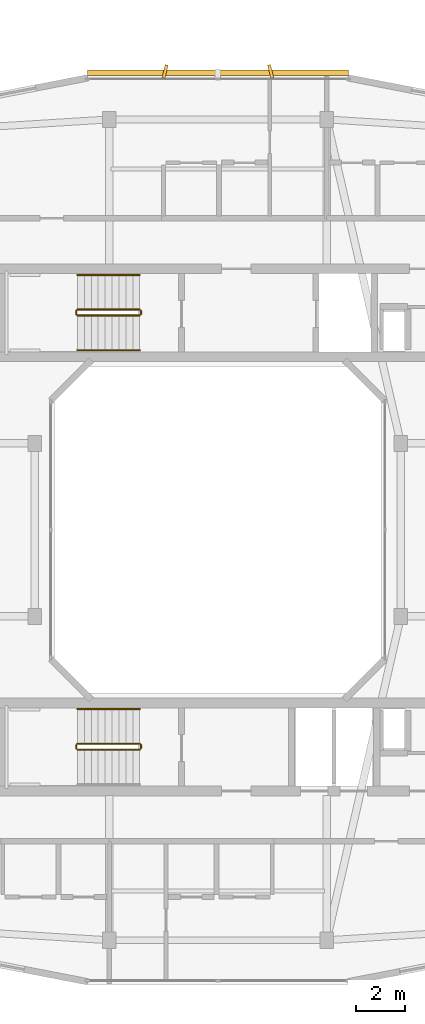
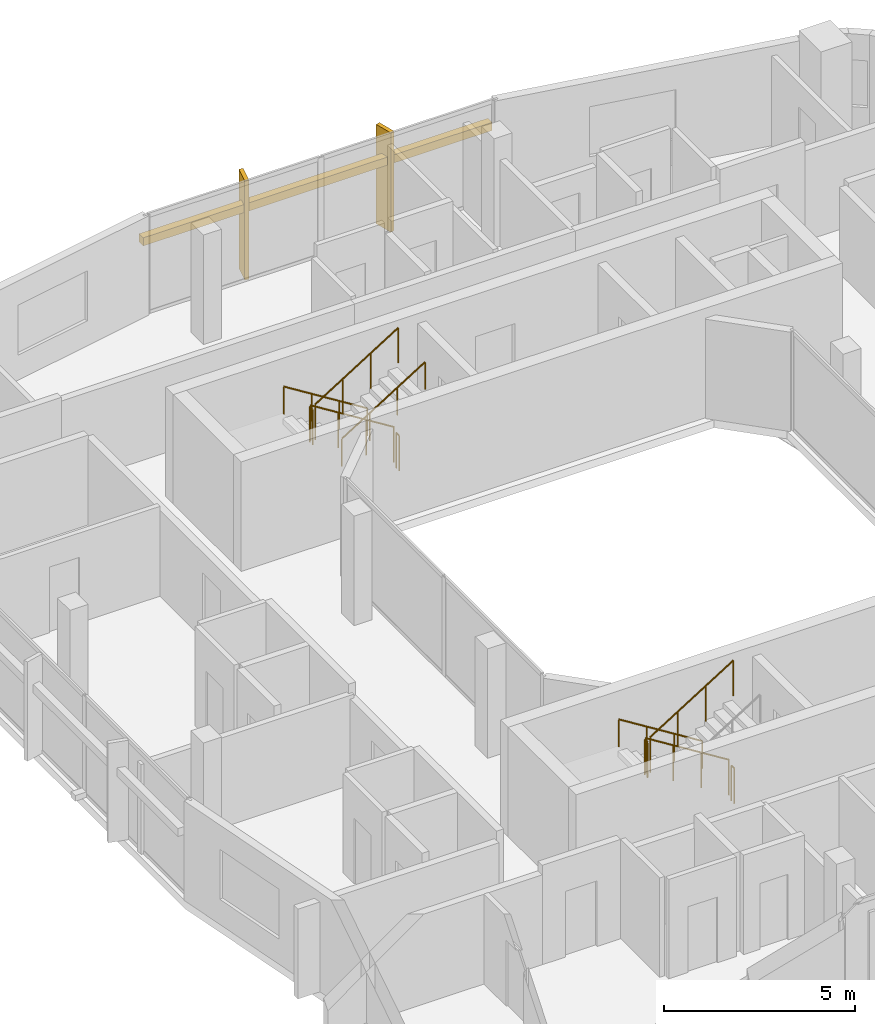
# One storey, part 26 of 26: 11 railings, 3 shading devices.
"""IFC4 building model written with IfcOpenShell, lengths in metres."""

from ifc_helpers import new_model, si_unit, derived_unit, direction, frame, origin, origin_2d, place, context, subcontext, project, spatial, rectangle, circle, extrude, material, type_object, element, save


model = new_model("IFC4")

# Units and contexts
model_context = context("Model", 3, precision=1e-05, world=origin(), true_north=direction((0.0, 1.0)))
body_context = subcontext(model_context, "Body", "Model", "MODEL_VIEW")
ifc_project = project(units=[si_unit("LENGTHUNIT", "METRE"), si_unit("AREAUNIT", "SQUARE_METRE"), si_unit("VOLUMEUNIT", "CUBIC_METRE"), si_unit("PLANEANGLEUNIT", "RADIAN"), si_unit("MASSUNIT", "GRAM", prefix="KILO"), derived_unit("THERMALTRANSMITTANCEUNIT", [(si_unit("POWERUNIT", "WATT"), 1), (si_unit("LENGTHUNIT", "METRE"), -2), (si_unit("THERMODYNAMICTEMPERATUREUNIT", "KELVIN"), -1)])], contexts=[model_context])

# Site, building, storey
site_placement = place(None, origin())
site = spatial("IfcSite", under=ifc_project, at=site_placement, CompositionType="ELEMENT")
building_placement = place(site_placement, origin())
building = spatial("IfcBuilding", under=site, at=building_placement, Name="Kivonza Crest Hotel", CompositionType="ELEMENT")
storey_placement = place(building_placement, frame((0.0, 0.0, 116.0)))
storey = spatial("IfcBuildingStorey", under=building, at=storey_placement, Name="L31", CompositionType="ELEMENT", Elevation=116.0)

# Railings
ifc_material_1 = material(Name="Brushed stainless steel handrail", Category="steel")
railing_type_1 = type_object("IfcRailingType", Name="RL-HAND-900", PredefinedType="HANDRAIL", material=ifc_material_1)
railing_1_placement = place(storey_placement, frame((73.840087890625, 35.31005859375, 0.175048828125)))
element("IfcRailing", 1, at=railing_1_placement, inside=storey, type_object=railing_type_1, Name="L31 ST-T2-N stair handrail 1", PredefinedType="HANDRAIL", context=body_context, shape_type="SweptSolid", body=[
    extrude(circle(Radius=0.02392578125, at=origin_2d()), frame((0.0, 0.0, 0.8759765625), z_axis=(-0.848007534815, 0.0, 0.529984170421), x_axis=(0.0, -1.0, 0.0)), (0.0, 0.0, 1.0), 2.9716796875),
    extrude(circle(Radius=0.02099609375, at=origin_2d()), origin(), (0.0, 0.0, 1.0), 0.851806640625),
    extrude(circle(Radius=0.02099609375, at=origin_2d()), frame((-0.840087890625, 0.0, 0.52490234375)), (0.0, 0.0, 1.0), 0.851806640625),
    extrude(circle(Radius=0.02099609375, at=origin_2d()), frame((-1.679931640625, 0.0, 1.050048828125)), (0.0, 0.0, 1.0), 0.851806640625),
    extrude(circle(Radius=0.02099609375, at=origin_2d()), frame((-2.52001953125, 0.0, 1.574951171875)), (0.0, 0.0, 1.0), 0.851806640625),
])
railing_2_placement = place(storey_placement, frame((71.320068359375, 32.27001953125, 1.925048828125)))
element("IfcRailing", 2, at=railing_2_placement, inside=storey, type_object=railing_type_1, Name="L31 ST-T2-N stair handrail 2", PredefinedType="HANDRAIL", context=body_context, shape_type="SweptSolid", body=[
    extrude(circle(Radius=0.02392578125, at=origin_2d()), frame((0.0, 0.0, 0.8759765625), z_axis=(0.848007534815, 0.0, 0.529984170421), x_axis=(0.0, 1.0, 0.0)), (0.0, 0.0, 1.0), 2.9716796875),
    extrude(circle(Radius=0.02099609375, at=origin_2d()), origin(), (0.0, 0.0, 1.0), 0.851806640625),
    extrude(circle(Radius=0.02099609375, at=origin_2d()), frame((0.840087890625, 0.0, 0.52490234375)), (0.0, 0.0, 1.0), 0.851806640625),
    extrude(circle(Radius=0.02099609375, at=origin_2d()), frame((1.679931640625, 0.0, 1.050048828125)), (0.0, 0.0, 1.0), 0.851806640625),
    extrude(circle(Radius=0.02099609375, at=origin_2d()), frame((2.52001953125, 0.0, 1.574951171875)), (0.0, 0.0, 1.0), 0.851806640625),
])
railing_3_placement = place(storey_placement, frame((73.840087890625, 17.75, 0.175048828125)))
element("IfcRailing", 3, at=railing_3_placement, inside=storey, type_object=railing_type_1, Name="L31 ST-T2-S stair handrail 1", PredefinedType="HANDRAIL", context=body_context, shape_type="SweptSolid", body=[
    extrude(circle(Radius=0.02392578125, at=origin_2d()), frame((0.0, 0.0, 0.8759765625), z_axis=(-0.848007534815, 0.0, 0.529984170421), x_axis=(0.0, -1.0, 0.0)), (0.0, 0.0, 1.0), 2.9716796875),
    extrude(circle(Radius=0.02099609375, at=origin_2d()), origin(), (0.0, 0.0, 1.0), 0.851806640625),
    extrude(circle(Radius=0.02099609375, at=origin_2d()), frame((-0.840087890625, 0.0, 0.52490234375)), (0.0, 0.0, 1.0), 0.851806640625),
    extrude(circle(Radius=0.02099609375, at=origin_2d()), frame((-1.679931640625, 0.0, 1.050048828125)), (0.0, 0.0, 1.0), 0.851806640625),
    extrude(circle(Radius=0.02099609375, at=origin_2d()), frame((-2.52001953125, 0.0, 1.574951171875)), (0.0, 0.0, 1.0), 0.851806640625),
])
ifc_material_2 = material(Name="Painted steel balustrade", Category="steel")
railing_type_2 = type_object("IfcRailingType", Name="RL-STAIR-1150", PredefinedType="BALUSTRADE", material=ifc_material_2)
railing_4_placement = place(storey_placement, frame((73.840087890625, 33.909912109375, 0.175048828125)))
element("IfcRailing", 4, at=railing_4_placement, inside=storey, type_object=railing_type_2, Name="L31 ST-T2-N stair guard 1", PredefinedType="BALUSTRADE", context=body_context, shape_type="SweptSolid", body=[
    extrude(circle(Radius=0.02392578125, at=origin_2d()), frame((0.0, 0.0, 1.1259765625), z_axis=(-0.848007534815, 0.0, 0.529984170421), x_axis=(0.0, -1.0, 0.0)), (0.0, 0.0, 1.0), 2.9716796875),
    extrude(circle(Radius=0.02099609375, at=origin_2d()), origin(), (0.0, 0.0, 1.0), 1.101806640625),
    extrude(circle(Radius=0.02099609375, at=origin_2d()), frame((-0.840087890625, 0.0, 0.52490234375)), (0.0, 0.0, 1.0), 1.101806640625),
    extrude(circle(Radius=0.02099609375, at=origin_2d()), frame((-1.679931640625, 0.0, 1.050048828125)), (0.0, 0.0, 1.0), 1.101806640625),
    extrude(circle(Radius=0.02099609375, at=origin_2d()), frame((-2.52001953125, 0.0, 1.574951171875)), (0.0, 0.0, 1.0), 1.101806640625),
])
railing_5_placement = place(storey_placement, frame((71.27001953125, 33.860107421875, 1.75)))
element("IfcRailing", 5, at=railing_5_placement, inside=storey, type_object=railing_type_2, Name="L31 ST-T2-N stair guard 2", PredefinedType="BALUSTRADE", context=body_context, shape_type="SweptSolid", body=[
    extrude(circle(Radius=0.02392578125, at=origin_2d()), frame((0.0, 0.0, 1.1259765625), z_axis=(0.0, -1.0, 0.0), x_axis=(1.0, 0.0, 0.0)), (0.0, 0.0, 1.0), 0.14013671875),
    extrude(circle(Radius=0.02099609375, at=origin_2d()), origin(), (0.0, 0.0, 1.0), 1.101806640625),
    extrude(circle(Radius=0.02099609375, at=origin_2d()), frame((0.0, -0.14013671875, 0.0)), (0.0, 0.0, 1.0), 1.101806640625),
])
railing_6_placement = place(storey_placement, frame((71.320068359375, 33.669921875, 1.925048828125)))
element("IfcRailing", 6, at=railing_6_placement, inside=storey, type_object=railing_type_2, Name="L31 ST-T2-N stair guard 3", PredefinedType="BALUSTRADE", context=body_context, shape_type="SweptSolid", body=[
    extrude(circle(Radius=0.02392578125, at=origin_2d()), frame((0.0, 0.0, 1.1259765625), z_axis=(0.848007534815, 0.0, 0.529984170421), x_axis=(0.0, 1.0, 0.0)), (0.0, 0.0, 1.0), 2.9716796875),
    extrude(circle(Radius=0.02099609375, at=origin_2d()), origin(), (0.0, 0.0, 1.0), 1.101806640625),
    extrude(circle(Radius=0.02099609375, at=origin_2d()), frame((0.840087890625, 0.0, 0.52490234375)), (0.0, 0.0, 1.0), 1.101806640625),
    extrude(circle(Radius=0.02099609375, at=origin_2d()), frame((1.679931640625, 0.0, 1.050048828125)), (0.0, 0.0, 1.0), 1.101806640625),
    extrude(circle(Radius=0.02099609375, at=origin_2d()), frame((2.52001953125, 0.0, 1.574951171875)), (0.0, 0.0, 1.0), 1.101806640625),
])
railing_7_placement = place(storey_placement, frame((73.889892578125, 33.860107421875, 0.0)))
element("IfcRailing", 7, at=railing_7_placement, inside=storey, type_object=railing_type_2, Name="L31 ST-T2-N stair guard 4", PredefinedType="BALUSTRADE", context=body_context, shape_type="SweptSolid", body=[
    extrude(circle(Radius=0.02392578125, at=origin_2d()), frame((0.0, 0.0, 1.1259765625), z_axis=(0.0, -1.0, 0.0), x_axis=(1.0, 0.0, 0.0)), (0.0, 0.0, 1.0), 0.14013671875),
    extrude(circle(Radius=0.02099609375, at=origin_2d()), origin(), (0.0, 0.0, 1.0), 1.101806640625),
    extrude(circle(Radius=0.02099609375, at=origin_2d()), frame((0.0, -0.14013671875, 0.0)), (0.0, 0.0, 1.0), 1.101806640625),
])
railing_8_placement = place(storey_placement, frame((73.840087890625, 16.35009765625, 0.175048828125)))
element("IfcRailing", 8, at=railing_8_placement, inside=storey, type_object=railing_type_2, Name="L31 ST-T2-S stair guard 1", PredefinedType="BALUSTRADE", context=body_context, shape_type="SweptSolid", body=[
    extrude(circle(Radius=0.02392578125, at=origin_2d()), frame((0.0, 0.0, 1.1259765625), z_axis=(-0.848007534815, 0.0, 0.529984170421), x_axis=(0.0, -1.0, 0.0)), (0.0, 0.0, 1.0), 2.9716796875),
    extrude(circle(Radius=0.02099609375, at=origin_2d()), origin(), (0.0, 0.0, 1.0), 1.101806640625),
    extrude(circle(Radius=0.02099609375, at=origin_2d()), frame((-0.840087890625, 0.0, 0.52490234375)), (0.0, 0.0, 1.0), 1.101806640625),
    extrude(circle(Radius=0.02099609375, at=origin_2d()), frame((-1.679931640625, 0.0, 1.050048828125)), (0.0, 0.0, 1.0), 1.101806640625),
    extrude(circle(Radius=0.02099609375, at=origin_2d()), frame((-2.52001953125, 0.0, 1.574951171875)), (0.0, 0.0, 1.0), 1.101806640625),
])
railing_9_placement = place(storey_placement, frame((71.27001953125, 16.300048828125, 1.75)))
element("IfcRailing", 9, at=railing_9_placement, inside=storey, type_object=railing_type_2, Name="L31 ST-T2-S stair guard 2", PredefinedType="BALUSTRADE", context=body_context, shape_type="SweptSolid", body=[
    extrude(circle(Radius=0.02392578125, at=origin_2d()), frame((0.0, 0.0, 1.1259765625), z_axis=(0.0, -1.0, 0.0), x_axis=(1.0, 0.0, 0.0)), (0.0, 0.0, 1.0), 0.14013671875),
    extrude(circle(Radius=0.02099609375, at=origin_2d()), origin(), (0.0, 0.0, 1.0), 1.101806640625),
    extrude(circle(Radius=0.02099609375, at=origin_2d()), frame((0.0, -0.14013671875, 0.0)), (0.0, 0.0, 1.0), 1.101806640625),
])
railing_10_placement = place(storey_placement, frame((71.320068359375, 16.110107421875, 1.925048828125)))
element("IfcRailing", 10, at=railing_10_placement, inside=storey, type_object=railing_type_2, Name="L31 ST-T2-S stair guard 3", PredefinedType="BALUSTRADE", context=body_context, shape_type="SweptSolid", body=[
    extrude(circle(Radius=0.02392578125, at=origin_2d()), frame((0.0, 0.0, 1.1259765625), z_axis=(0.848007534815, 0.0, 0.529984170421), x_axis=(0.0, 1.0, 0.0)), (0.0, 0.0, 1.0), 2.9716796875),
    extrude(circle(Radius=0.02099609375, at=origin_2d()), origin(), (0.0, 0.0, 1.0), 1.101806640625),
    extrude(circle(Radius=0.02099609375, at=origin_2d()), frame((0.840087890625, 0.0, 0.52490234375)), (0.0, 0.0, 1.0), 1.101806640625),
    extrude(circle(Radius=0.02099609375, at=origin_2d()), frame((1.679931640625, 0.0, 1.050048828125)), (0.0, 0.0, 1.0), 1.101806640625),
    extrude(circle(Radius=0.02099609375, at=origin_2d()), frame((2.52001953125, 0.0, 1.574951171875)), (0.0, 0.0, 1.0), 1.101806640625),
])
railing_11_placement = place(storey_placement, frame((73.889892578125, 16.300048828125, 0.0)))
element("IfcRailing", 11, at=railing_11_placement, inside=storey, type_object=railing_type_2, Name="L31 ST-T2-S stair guard 4", PredefinedType="BALUSTRADE", context=body_context, shape_type="SweptSolid", body=[
    extrude(circle(Radius=0.02392578125, at=origin_2d()), frame((0.0, 0.0, 1.1259765625), z_axis=(0.0, -1.0, 0.0), x_axis=(1.0, 0.0, 0.0)), (0.0, 0.0, 1.0), 0.14013671875),
    extrude(circle(Radius=0.02099609375, at=origin_2d()), origin(), (0.0, 0.0, 1.0), 1.101806640625),
    extrude(circle(Radius=0.02099609375, at=origin_2d()), frame((0.0, -0.14013671875, 0.0)), (0.0, 0.0, 1.0), 1.101806640625),
])

# Shading devices
ifc_material_3 = material(Name="Kiln-fired Nairobi red-ochre terracotta", Category="masonry")
shading_device_type_1 = type_object("IfcShadingDeviceType", Name="SH-BAGUETTE-300", PredefinedType="USERDEFINED", material=ifc_material_3)
shading_device_placement = place(storey_placement, frame((77.0, 43.47998046875, 2.09619140625), z_axis=(0.0, 0.0, 1.0), x_axis=(-1.0, 0.0, 0.0)))
element("IfcShadingDevice", 12, at=shading_device_placement, inside=storey, type_object=shading_device_type_1, Name="L31 terracotta baguette screen CW-T2-L31-26", ObjectType="BAGUETTE", PredefinedType="USERDEFINED", context=body_context, shape_type="SweptSolid", body=[
    extrude(rectangle(XDim=10.56005859375, YDim=0.219970703125, at=origin_2d()), origin(), (0.0, 0.0, 1.0), 0.260009765625),
])
ifc_material_4 = material(Name="Kiln-fired terracotta over extruded aluminium spine", Category="masonry")
shading_device_type_2 = type_object("IfcShadingDeviceType", Name="SH-FIN-550", PredefinedType="USERDEFINED", material=ifc_material_4)
for number, where, z_axis, x_axis, name in (
    (13, (79.135986328125, 43.5400390625, 0.0), (0.0, 0.0, 1.0), (-0.970295726276, -0.2419218956, 0.0), "L31 vertical solar shading fin CW-T2-L31-26-1"),
    (14, (74.864013671875, 43.5400390625, 0.0), (0.0, 0.0, 1.0), (-0.970295726276, 0.2419218956, 0.0), "L31 vertical solar shading fin CW-T2-L31-26-2"),
):
    element("IfcShadingDevice", number, at=place(storey_placement, frame(where, z_axis=z_axis, x_axis=x_axis)), inside=storey, type_object=shading_device_type_2, Name=name, ObjectType="FIN", PredefinedType="USERDEFINED", context=body_context, shape_type="SweptSolid", body=[
        extrude(rectangle(XDim=0.1201171875, YDim=0.550048828125, at=origin_2d()), origin(), (0.0, 0.0, 1.0), 3.179931640625),
    ])

save(model, "model.ifc")
